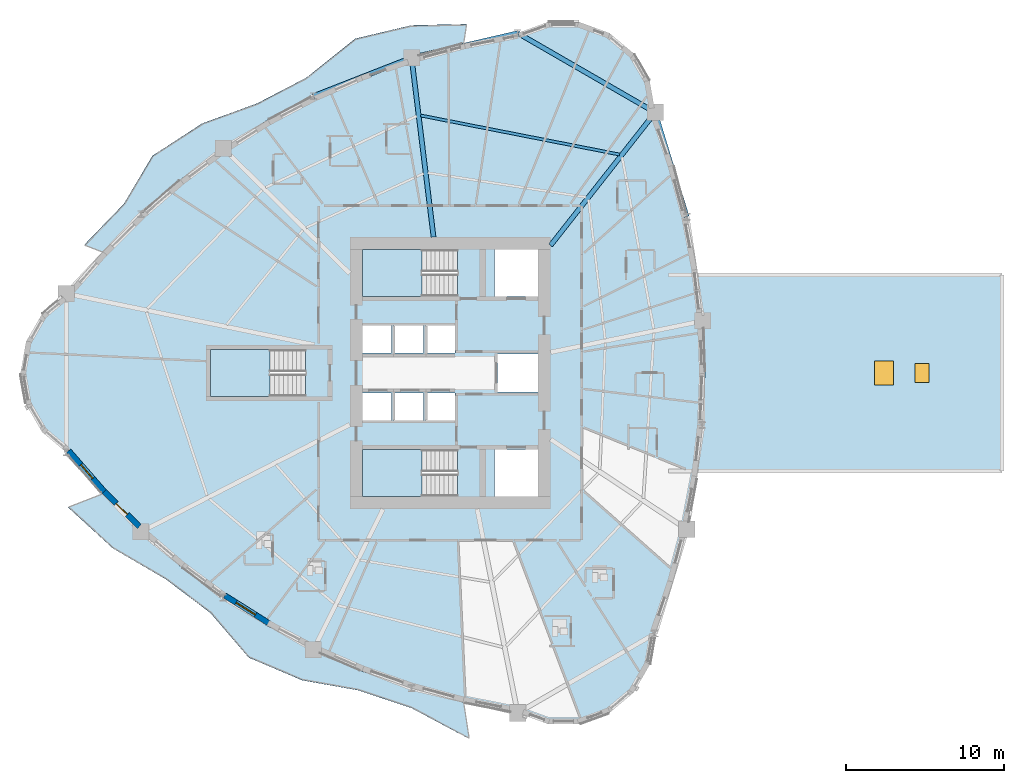
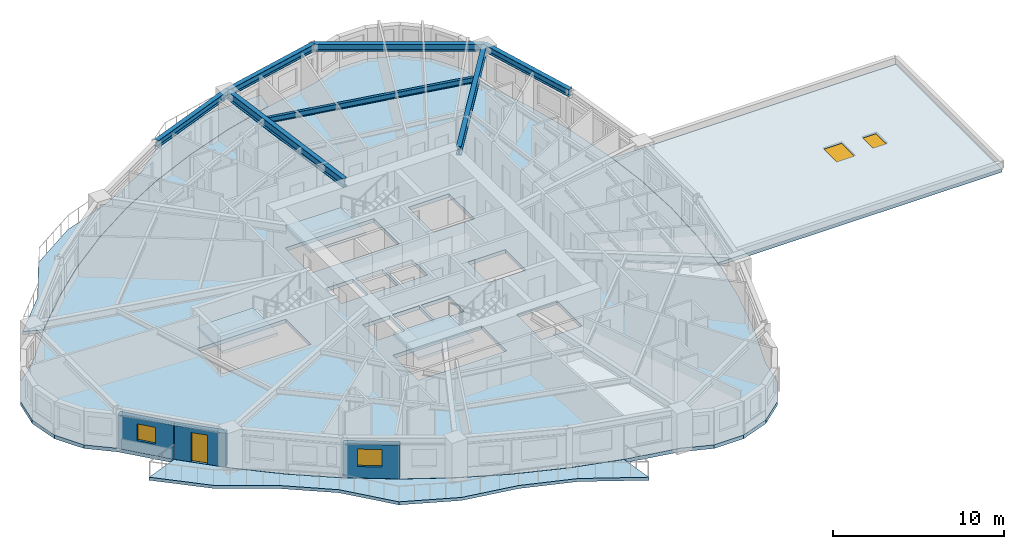
# One storey, part 2 of 15: 7 beams, 7 slabs, 4 windows, 3 walls, 1 door, 5 openings, 3 elements without a shape of their own.
"""IFC4 building model written with IfcOpenShell, lengths in metres."""

from ifc_helpers import new_model, si_unit, direction, frame, frame_2d, origin, origin_2d, place, context, subcontext, project, spatial, polyline, rectangle, i_section, outline, extrude, source, transform, mapped, material, layer, layer_set, material_profile, profile_set, type_object, element, fill, aggregate, save


model = new_model("IFC4")

# Units and contexts
model_context = context("Model", 3, precision=1e-05, world=origin(), true_north=direction((0.0, 1.0)))
body_context = subcontext(model_context, "Body", "Model", "MODEL_VIEW")
ifc_project = project(units=[si_unit("LENGTHUNIT", "METRE"), si_unit("AREAUNIT", "SQUARE_METRE"), si_unit("VOLUMEUNIT", "CUBIC_METRE"), si_unit("PLANEANGLEUNIT", "RADIAN"), si_unit("MASSUNIT", "GRAM", prefix="KILO")], contexts=[model_context])

# Site, building, storey
site_placement = place(None, origin())
site = spatial("IfcSite", under=ifc_project, at=site_placement, CompositionType="ELEMENT")
building_placement = place(site_placement, origin())
building = spatial("IfcBuilding", under=site, at=building_placement, Name="Qafzar Sky-Pleat Residences", CompositionType="ELEMENT")
storey_placement = place(building_placement, frame((0.0, 0.0, 36.60009765625)))
storey = spatial("IfcBuildingStorey", under=building, at=storey_placement, Name="L10", CompositionType="ELEMENT", Elevation=36.60009765625)

# Beams
ifc_material_1 = material(Name="Steel S355", Category="steel")
ifc_material_profile_1 = material_profile(ifc_material_1, i_section(OverallWidth=0.300048828125, OverallDepth=0.5, WebThickness=0.014404296875, FlangeThickness=0.028076171875, FilletRadius=0.027099609375, at=origin_2d()), Name="HEB 500")
ifc_profile_set_1 = profile_set([ifc_material_profile_1], Name="Steel S355")
beam_type_1 = type_object("IfcBeamType", Name="BM-SPAN-HEB500", PredefinedType="SPANDREL", material=ifc_profile_set_1)
shared_shape_1 = source(origin(), body_context, "Body", "SweptSolid", [
    extrude(i_section(OverallWidth=0.300048828125, OverallDepth=0.5, WebThickness=0.014404296875, FlangeThickness=0.028076171875, FilletRadius=0.027099609375, at=origin_2d()), origin(), (0.0, 0.0, 1.0), 10.0458984375),
])
beam_1_placement = place(storey_placement, frame((43.3173828125, 42.48486328125, 2.68798828125), z_axis=(-0.866024107753, 0.500002244785, 0.0), x_axis=(-0.500002244785, -0.866024107753, 0.0)))
element("IfcBeam", 1, at=beam_1_placement, inside=storey, type_object=beam_type_1, Name="L10 Perimeter Spandrel Beam 13", PredefinedType="SPANDREL", context=body_context, shape_type="MappedRepresentation", body=[
    mapped(shared_shape_1, transform((0.0, 0.0, 0.0), x_axis=(1.0, 0.0, 0.0), y_axis=(0.0, 1.0, 0.0), z_axis=(0.0, 0.0, 1.0), scale=1.0)),
])
shared_shape_2 = source(origin(), body_context, "Body", "SweptSolid", [
    extrude(i_section(OverallWidth=0.300048828125, OverallDepth=0.5, WebThickness=0.014404296875, FlangeThickness=0.028076171875, FilletRadius=0.027099609375, at=origin_2d()), origin(), (0.0, 0.0, 1.0), 6.891845703125),
])
beam_2_placement = place(storey_placement, frame((34.617431640625, 47.5078125, 2.68798828125), z_axis=(-0.974009481097, -0.226507242122, 0.0), x_axis=(0.226507242122, -0.974009481097, 0.0)))
element("IfcBeam", 2, at=beam_2_placement, inside=storey, type_object=beam_type_1, Name="L10 Perimeter Spandrel Beam 14", PredefinedType="SPANDREL", context=body_context, shape_type="MappedRepresentation", body=[
    mapped(shared_shape_2, transform((0.0, 0.0, 0.0), x_axis=(1.0, 0.0, 0.0), y_axis=(0.0, 1.0, 0.0), z_axis=(0.0, 0.0, 1.0), scale=1.0)),
])
shared_shape_3 = source(origin(), body_context, "Body", "SweptSolid", [
    extrude(i_section(OverallWidth=0.300048828125, OverallDepth=0.5, WebThickness=0.014404296875, FlangeThickness=0.028076171875, FilletRadius=0.027099609375, at=origin_2d()), origin(), (0.0, 0.0, 1.0), 6.669677734375),
])
beam_3_placement = place(storey_placement, frame((27.90478515625, 45.94677734375, 2.68798828125), z_axis=(-0.931329164227, -0.364178510981, 0.0), x_axis=(0.364178510981, -0.931329164227, 0.0)))
element("IfcBeam", 3, at=beam_3_placement, inside=storey, type_object=beam_type_1, Name="L10 Perimeter Spandrel Beam 15", PredefinedType="SPANDREL", context=body_context, shape_type="MappedRepresentation", body=[
    mapped(shared_shape_3, transform((0.0, 0.0, 0.0), x_axis=(1.0, 0.0, 0.0), y_axis=(0.0, 1.0, 0.0), z_axis=(0.0, 0.0, 1.0), scale=1.0)),
])
shared_shape_4 = source(origin(), body_context, "Body", "SweptSolid", [
    extrude(i_section(OverallWidth=0.300048828125, OverallDepth=0.5, WebThickness=0.014404296875, FlangeThickness=0.028076171875, FilletRadius=0.027099609375, at=origin_2d()), origin(), (0.0, 0.0, 1.0), 6.89208984375),
])
beam_4_placement = place(storey_placement, frame((45.322021484375, 35.890869140625, 2.68798828125), z_axis=(-0.290865585576, 0.95676392654, 0.0), x_axis=(-0.95676392654, -0.290865585576, 0.0)))
element("IfcBeam", 4, at=beam_4_placement, inside=storey, type_object=beam_type_1, Name="L10 Perimeter Spandrel Beam 12", PredefinedType="SPANDREL", context=body_context, shape_type="MappedRepresentation", body=[
    mapped(shared_shape_4, transform((0.0, 0.0, 0.0), x_axis=(1.0, 0.0, 0.0), y_axis=(0.0, 1.0, 0.0), z_axis=(0.0, 0.0, 1.0), scale=1.0)),
])
ifc_material_profile_2 = material_profile(ifc_material_1, i_section(OverallWidth=0.300048828125, OverallDepth=0.60009765625, WebThickness=0.015380859375, FlangeThickness=0.030029296875, FilletRadius=0.027099609375, at=origin_2d()), Name="HEB 600")
ifc_profile_set_2 = profile_set([ifc_material_profile_2], Name="Steel S355")
beam_type_2 = type_object("IfcBeamType", Name="BM-GIRD-HEB600", PredefinedType="BEAM", material=ifc_profile_set_2)
shared_shape_5 = source(origin(), body_context, "Body", "SweptSolid", [
    extrude(i_section(OverallWidth=0.300048828125, OverallDepth=0.60009765625, WebThickness=0.015380859375, FlangeThickness=0.030029296875, FilletRadius=0.027099609375, at=origin_2d()), origin(), (0.0, 0.0, 1.0), 10.703125),
])
beam_5_placement = place(storey_placement, frame((43.3173828125, 42.48486328125, 2.637939453125), z_axis=(-0.618267724454, -0.785967569877, 0.0), x_axis=(0.785967569877, -0.618267724454, 0.0)))
element("IfcBeam", 5, at=beam_5_placement, inside=storey, type_object=beam_type_2, Name="L10 Radial Floor Girder 13", PredefinedType="BEAM", context=body_context, shape_type="MappedRepresentation", body=[
    mapped(shared_shape_5, transform((0.0, 0.0, 0.0), x_axis=(1.0, 0.0, 0.0), y_axis=(0.0, 1.0, 0.0), z_axis=(0.0, 0.0, 1.0), scale=1.0)),
])
shared_shape_6 = source(origin(), body_context, "Body", "SweptSolid", [
    extrude(i_section(OverallWidth=0.300048828125, OverallDepth=0.60009765625, WebThickness=0.015380859375, FlangeThickness=0.030029296875, FilletRadius=0.027099609375, at=origin_2d()), origin(), (0.0, 0.0, 1.0), 11.431640625),
])
beam_6_placement = place(storey_placement, frame((27.90478515625, 45.94677734375, 2.637939453125), z_axis=(0.121668724552, -0.992570763959, 0.0), x_axis=(0.992570763959, 0.121668724552, 0.0)))
element("IfcBeam", 6, at=beam_6_placement, inside=storey, type_object=beam_type_2, Name="L10 Radial Floor Girder 15", PredefinedType="BEAM", context=body_context, shape_type="MappedRepresentation", body=[
    mapped(shared_shape_6, transform((0.0, 0.0, 0.0), x_axis=(1.0, 0.0, 0.0), y_axis=(0.0, 1.0, 0.0), z_axis=(0.0, 0.0, 1.0), scale=1.0)),
])
ifc_material_profile_3 = material_profile(ifc_material_1, i_section(OverallWidth=0.179931640625, OverallDepth=0.39990234375, WebThickness=0.008544921875, FlangeThickness=0.013427734375, FilletRadius=0.02099609375, at=origin_2d()), Name="IPE 400")
ifc_profile_set_3 = profile_set([ifc_material_profile_3], Name="Steel S355")
beam_type_3 = type_object("IfcBeamType", Name="BM-JST-IPE400", PredefinedType="JOIST", material=ifc_profile_set_3)
shared_shape_7 = source(origin(), body_context, "Body", "SweptSolid", [
    extrude(i_section(OverallWidth=0.179931640625, OverallDepth=0.39990234375, WebThickness=0.008544921875, FlangeThickness=0.013427734375, FilletRadius=0.02099609375, at=origin_2d()), origin(), (0.0, 0.0, 1.0), 12.8251953125),
])
beam_7_placement = place(storey_placement, frame((41.0673828125, 39.81884765625, 2.73779296875), z_axis=(-0.981265018358, 0.192662823986, 0.0), x_axis=(-0.192662823986, -0.981265018358, 0.0)))
element("IfcBeam", 7, at=beam_7_placement, inside=storey, type_object=beam_type_3, Name="L10 Outer Secondary Floor Joist 7", PredefinedType="JOIST", context=body_context, shape_type="MappedRepresentation", body=[
    mapped(shared_shape_7, transform((0.0, 0.0, 0.0), x_axis=(1.0, 0.0, 0.0), y_axis=(0.0, 1.0, 0.0), z_axis=(0.0, 0.0, 1.0), scale=1.0)),
])

# Slabs
ifc_material_2 = material(Name="Concrete C40/50", Category="concrete")
ifc_layer_1 = layer(ifc_material_2, 0.219970703125)
ifc_layer_set_1 = layer_set([ifc_layer_1], Name="Concrete C40/50")
slab_type_1 = type_object("IfcSlabType", Name="SLAB-BAL-220", PredefinedType="USERDEFINED", material=ifc_layer_set_1)
slab_1_placement = place(storey_placement, frame((0.0, 0.0, -0.22021484375)))
element("IfcSlab", 8, at=slab_1_placement, inside=storey, type_object=slab_type_1, Name="L10 Pleated Stone Balcony 1", ObjectType="BALCONY", PredefinedType="USERDEFINED", context=body_context, shape_type="SweptSolid", body=[
    extrude(outline(polyline([(27.904541015625, 45.958740234375), (24.734375, 44.8525390625), (21.68896484375, 43.529052734375), (18.769287109375, 41.98828125), (15.974853515625, 40.22998046875), (13.30615234375, 38.254638671875), (10.7626953125, 36.06201171875), (8.34521484375, 33.65234375), (7.191650390625, 34.101318359375), (9.693603515625, 36.68603515625), (11.51611328125, 39.747314453125), (14.659423828125, 41.78662109375), (18.150146484375, 43.060302734375), (21.269775390625, 44.69384765625), (24.33642578125, 47.149169921875), (27.89501953125, 47.996826171875), (31.38818359375, 48.0712890625), (31.2001953125, 46.84765625), (27.904541015625, 45.958740234375)])), origin(), (0.0, 0.0, 1.0), 0.22021484375),
])
slab_2_placement = place(storey_placement, frame((0.0, 0.0, -0.22021484375)))
element("IfcSlab", 9, at=slab_2_placement, inside=storey, type_object=slab_type_1, Name="L10 Pleated Stone Balcony 2", ObjectType="BALCONY", PredefinedType="USERDEFINED", context=body_context, shape_type="SweptSolid", body=[
    extrude(outline(polyline([(10.7626953125, 15.93798828125), (13.30615234375, 13.745361328125), (15.974853515625, 11.77001953125), (18.769287109375, 10.01171875), (21.68896484375, 8.470947265625), (24.734375, 7.1474609375), (27.904541015625, 6.041259765625), (31.2001953125, 5.15234375), (31.553955078125, 2.848388671875), (27.898681640625, 4.80322265625), (24.52294921875, 5.927490234375), (20.998779296875, 6.553466796875), (17.603759765625, 7.993408203125), (15.17578125, 10.82421875), (12.355224609375, 12.952392578125), (9.002685546875, 14.91064453125), (6.17333984375, 17.502197265625), (8.34521484375, 18.34765625), (10.7626953125, 15.93798828125)])), origin(), (0.0, 0.0, 1.0), 0.22021484375),
])
ifc_layer_2 = layer(ifc_material_2, 0.260009765625)
ifc_layer_set_2 = layer_set([ifc_layer_2], Name="Concrete C40/50")
slab_type_2 = type_object("IfcSlabType", Name="SLAB-FLR-260", PredefinedType="FLOOR", material=ifc_layer_set_2)
slab_3_placement = place(storey_placement, frame((0.0, 0.0, -0.260009765625)))
element("IfcSlab", 10, at=slab_3_placement, inside=storey, type_object=slab_type_2, Name="L10 Structural Floor Slab", PredefinedType="FLOOR", context=body_context, shape_type="SweptSolid", body=[
    extrude(outline(polyline([(6.06494140625, 31.02294921875), (4.52197265625, 29.728271484375), (3.514892578125, 27.983642578125), (3.1650390625, 26.0), (3.514892578125, 24.016357421875), (4.52197265625, 22.271728515625), (6.06494140625, 20.97705078125), (8.3564453125, 18.35205078125), (10.773193359375, 15.944091796875), (13.315185546875, 13.753173828125), (15.982666015625, 11.779052734375), (18.775146484375, 10.022216796875), (21.693115234375, 8.482177734375), (24.736328125, 7.1591796875), (27.90478515625, 6.05322265625), (31.198486328125, 5.164306640625), (34.617431640625, 4.4921875), (36.51025390625, 3.80322265625), (38.524658203125, 3.80322265625), (40.41748046875, 4.4921875), (41.960693359375, 5.787109375), (42.9677734375, 7.531494140625), (43.3173828125, 9.51513671875), (44.445068359375, 12.812255859375), (45.322021484375, 16.109130859375), (45.948486328125, 19.406005859375), (46.32421875, 22.702880859375), (46.44970703125, 26.0), (46.32421875, 29.297119140625), (45.948486328125, 32.593994140625), (45.322021484375, 35.890869140625), (44.445068359375, 39.187744140625), (43.3173828125, 42.48486328125), (42.9677734375, 44.468505859375), (41.960693359375, 46.212890625), (40.41748046875, 47.5078125), (38.524658203125, 48.19677734375), (36.51025390625, 48.19677734375), (34.617431640625, 47.5078125), (31.198486328125, 46.835693359375), (27.90478515625, 45.94677734375), (24.736328125, 44.8408203125), (21.693115234375, 43.517822265625), (18.775146484375, 41.977783203125), (15.982666015625, 40.220947265625), (13.315185546875, 38.246826171875), (10.773193359375, 36.055908203125), (8.3564453125, 33.64794921875), (6.06494140625, 31.02294921875)]), holes=[polyline([(30.797119140625, 21.14990234375), (24.800048828125, 21.14990234375), (24.800048828125, 18.199951171875), (30.797119140625, 18.199951171875), (30.797119140625, 21.14990234375)]), polyline([(30.797119140625, 33.800048828125), (24.800048828125, 33.800048828125), (24.800048828125, 30.85009765625), (30.797119140625, 30.85009765625), (30.797119140625, 33.800048828125)]), polyline([(21.197021484375, 27.47509765625), (15.199951171875, 27.47509765625), (15.199951171875, 24.52490234375), (21.197021484375, 24.52490234375), (21.197021484375, 27.47509765625)]), polyline([(24.800048828125, 22.949951171875), (26.64990234375, 22.949951171875), (26.64990234375, 24.75), (24.800048828125, 24.75), (24.800048828125, 22.949951171875)]), polyline([(26.800048828125, 22.949951171875), (28.64990234375, 22.949951171875), (28.64990234375, 24.75), (26.800048828125, 24.75), (26.800048828125, 22.949951171875)]), polyline([(28.800048828125, 22.949951171875), (30.64990234375, 22.949951171875), (30.64990234375, 24.75), (28.800048828125, 24.75), (28.800048828125, 22.949951171875)]), polyline([(24.800048828125, 27.25), (26.64990234375, 27.25), (26.64990234375, 29.050048828125), (24.800048828125, 29.050048828125), (24.800048828125, 27.25)]), polyline([(26.800048828125, 27.25), (28.64990234375, 27.25), (28.64990234375, 29.050048828125), (26.800048828125, 29.050048828125), (26.800048828125, 27.25)]), polyline([(28.800048828125, 27.25), (30.64990234375, 27.25), (30.64990234375, 29.050048828125), (28.800048828125, 29.050048828125), (28.800048828125, 27.25)]), polyline([(33.14990234375, 18.199951171875), (35.89990234375, 18.199951171875), (35.89990234375, 21.14990234375), (33.14990234375, 21.14990234375), (33.14990234375, 18.199951171875)]), polyline([(33.14990234375, 30.85009765625), (35.89990234375, 30.85009765625), (35.89990234375, 33.800048828125), (33.14990234375, 33.800048828125), (33.14990234375, 30.85009765625)]), polyline([(33.35009765625, 24.800048828125), (35.89990234375, 24.800048828125), (35.89990234375, 27.199951171875), (33.35009765625, 27.199951171875), (33.35009765625, 24.800048828125)])]), origin(), (0.0, 0.0, 1.0), 0.260009765625),
])

# Stair, slab
stair_type = type_object("IfcStairType", Name="STAIR-H320", PredefinedType="HALF_TURN_STAIR", material=ifc_material_2)
stair_1_placement = place(storey_placement, origin())
stair_1 = element("IfcStair", 11, at=stair_1_placement, inside=storey, type_object=stair_type, Name="L10 Protected Exit Stair ST1", PredefinedType="HALF_TURN_STAIR")
ifc_layer_3 = layer(ifc_material_2, 0.199951171875)
ifc_layer_set_3 = layer_set([ifc_layer_3], Name="Concrete C40/50")
slab_type_3 = type_object("IfcSlabType", Name="SLAB-LANDING-200", PredefinedType="LANDING", material=ifc_layer_set_3)
slab_4_placement = place(storey_placement, frame((0.0, 0.0, 1.39990234375)))
slab_4 = element("IfcSlab", 12, at=slab_4_placement, type_object=slab_type_3, Name="ST1 landing 1", PredefinedType="LANDING", context=body_context, shape_type="SweptSolid", body=[
    extrude(outline(polyline([(28.56005859375, 21.14990234375), (24.800048828125, 21.14990234375), (24.800048828125, 18.199951171875), (28.56005859375, 18.199951171875), (28.56005859375, 21.14990234375)])), origin(), (0.0, 0.0, 1.0), 0.199951171875),
])
aggregate(stair_1, [slab_4])

stair_2_placement = place(storey_placement, origin())
stair_2 = element("IfcStair", 13, at=stair_2_placement, inside=storey, type_object=stair_type, Name="L10 Protected Exit Stair ST2", PredefinedType="HALF_TURN_STAIR")
slab_5_placement = place(storey_placement, frame((0.0, 0.0, 1.39990234375)))
slab_5 = element("IfcSlab", 14, at=slab_5_placement, type_object=slab_type_3, Name="ST2 landing 1", PredefinedType="LANDING", context=body_context, shape_type="SweptSolid", body=[
    extrude(outline(polyline([(28.56005859375, 33.800048828125), (24.800048828125, 33.800048828125), (24.800048828125, 30.85009765625), (28.56005859375, 30.85009765625), (28.56005859375, 33.800048828125)])), origin(), (0.0, 0.0, 1.0), 0.199951171875),
])
aggregate(stair_2, [slab_5])

stair_3_placement = place(storey_placement, origin())
stair_3 = element("IfcStair", 15, at=stair_3_placement, inside=storey, type_object=stair_type, Name="L10 Protected Exit Stair ST3", PredefinedType="HALF_TURN_STAIR")
slab_6_placement = place(storey_placement, frame((0.0, 0.0, 1.39990234375)))
slab_6 = element("IfcSlab", 16, at=slab_6_placement, type_object=slab_type_3, Name="ST3 landing 1", PredefinedType="LANDING", context=body_context, shape_type="SweptSolid", body=[
    extrude(outline(polyline([(18.9599609375, 27.47509765625), (15.199951171875, 27.47509765625), (15.199951171875, 24.52490234375), (18.9599609375, 24.52490234375), (18.9599609375, 27.47509765625)])), origin(), (0.0, 0.0, 1.0), 0.199951171875),
])
aggregate(stair_3, [slab_6])

# Slab, openings, windows
ifc_layer_4 = layer(ifc_material_2, 0.235107421875)
ifc_layer_set_4 = layer_set([ifc_layer_4], Name="Concrete C40/50")
slab_type_4 = type_object("IfcSlabType", Name="SLAB-ROOF-235", PredefinedType="ROOF", material=ifc_layer_set_4)
slab_7_placement = place(storey_placement, frame((0.0, 0.0, -0.235107421875)))
slab_7 = element("IfcSlab", 17, at=slab_7_placement, inside=storey, type_object=slab_type_4, Name="L10 SB-1 Weatherproof Roof Deck", PredefinedType="ROOF", context=body_context, shape_type="SweptSolid", body=[
    extrude(outline(polyline([(65.25439453125, 32.199951171875), (65.25439453125, 19.800048828125), (46.008544921875, 19.800048828125), (46.339111328125, 22.701416015625), (46.33935546875, 22.702392578125), (46.464599609375, 25.99951171875), (46.464599609375, 26.00048828125), (46.33935546875, 29.297607421875), (46.339111328125, 29.298583984375), (46.008544921875, 32.199951171875), (65.25439453125, 32.199951171875)])), origin(), (0.0, 0.0, 1.0), 0.235107421875),
])
opening_1_placement = place(slab_7_placement, frame((57.80224609375, 26.0, -0.010009765625)))
opening_1 = element("IfcOpeningElement", 18, at=opening_1_placement, cuts=slab_7, Name="Opening RH-01", PredefinedType="OPENING", context=body_context, shape_type="SweptSolid", body=[
    extrude(rectangle(XDim=1.199951171875, YDim=1.5, at=origin_2d()), origin(), (0.0, 0.0, 1.0), 0.255126953125),
])
opening_2_placement = place(slab_7_placement, frame((60.202392578125, 26.0, -0.010009765625)))
opening_2 = element("IfcOpeningElement", 19, at=opening_2_placement, cuts=slab_7, Name="Opening RH-02", PredefinedType="OPENING", context=body_context, shape_type="SweptSolid", body=[
    extrude(rectangle(XDim=0.89990234375, YDim=1.199951171875, at=origin_2d()), origin(), (0.0, 0.0, 1.0), 0.255126953125),
])
ifc_material_3 = material(Name="Insulated safety glass roof hatch", Category="glass")
window_type_1 = type_object("IfcWindowType", Name="WIN-SKYLIGHT-1200", PartitioningType="SINGLE_PANEL", PredefinedType="SKYLIGHT", material=ifc_material_3)
window_1_placement = place(slab_7_placement, frame((57.80224609375, 26.0, 0.18505859375)))
window_1 = element("IfcWindow", 20, at=window_1_placement, inside=storey, type_object=window_type_1, Name="L10 SB-1 Roof Maintenance Skylight Hatch", OverallHeight=1.5, OverallWidth=1.199951171875, PartitioningType="SINGLE_PANEL", PredefinedType="SKYLIGHT", context=body_context, shape_type="SweptSolid", body=[
    extrude(rectangle(XDim=1.199951171875, YDim=1.5, at=origin_2d()), origin(), (0.0, 0.0, 1.0), 0.050048828125),
])
fill(opening_1, window_1)
window_type_2 = type_object("IfcWindowType", Name="WIN-SKYLIGHT-900", PartitioningType="SINGLE_PANEL", PredefinedType="SKYLIGHT", material=ifc_material_3)
window_2_placement = place(slab_7_placement, frame((60.202392578125, 26.0, 0.18505859375)))
window_2 = element("IfcWindow", 21, at=window_2_placement, inside=storey, type_object=window_type_2, Name="L10 SB-1 Roof Inspection Skylight Hatch", OverallHeight=1.199951171875, OverallWidth=0.89990234375, PartitioningType="SINGLE_PANEL", PredefinedType="SKYLIGHT", context=body_context, shape_type="SweptSolid", body=[
    extrude(rectangle(XDim=0.89990234375, YDim=1.199951171875, at=origin_2d()), origin(), (0.0, 0.0, 1.0), 0.050048828125),
])
fill(opening_2, window_2)

# Wall, opening, window
ifc_material_4 = material(Name="Precast concrete C40/50 with honed Riyadh limestone", Category="concrete")
ifc_layer_5 = layer(ifc_material_4, 0.35009765625)
ifc_layer_set_5 = layer_set([ifc_layer_5], Name="Precast concrete C40/50 with honed Riyadh limestone")
wall_type = type_object("IfcWallType", Name="WALL-EXT-350", PredefinedType="SOLIDWALL", material=ifc_layer_set_5)
wall_1_placement = place(storey_placement, frame((6.2099609375, 21.0771484375, 0.0), z_axis=(0.0, 0.0, 1.0), x_axis=(0.657630648053, -0.75334051447, 0.0)))
wall_1 = element("IfcWall", 22, at=wall_1_placement, inside=storey, type_object=wall_type, Name="L10 Limestone Facade Wall 7", PredefinedType="SOLIDWALL", context=body_context, shape_type="SweptSolid", body=[
    extrude(rectangle(XDim=3.502197265625, YDim=0.35009765625, at=frame_2d((1.7509765625, 0.0))), origin(), (0.0, 0.0, 1.0), 2.419921875),
])
opening_3_placement = place(wall_1_placement, frame((1.166259765625, 0.0, 0.820068359375)))
opening_3 = element("IfcOpeningElement", 23, at=opening_3_placement, cuts=wall_1, Name="Opening WN-16", PredefinedType="OPENING", context=body_context, shape_type="SweptSolid", body=[
    extrude(rectangle(XDim=1.14990234375, YDim=1.199951171875, at=frame_2d((0.574951171875, 0.60009765625))), frame((0.0, 0.18505859375, 0.0), z_axis=(0.0, -1.0, 0.0), x_axis=(1.0, 0.0, 0.0)), (0.0, 0.0, 1.0), 0.3701171875),
])
ifc_material_5 = material(Name="Solar-control low-E glass in bronze aluminium frame", Category="glass")
window_type_3 = type_object("IfcWindowType", Name="WIN-16", PartitioningType="SINGLE_PANEL", PredefinedType="WINDOW", material=ifc_material_5)
shared_shape_8 = source(origin(), body_context, "Body", "SweptSolid", [
    extrude(rectangle(XDim=1.14990234375, YDim=1.199951171875, at=frame_2d((0.574951171875, 0.60009765625))), frame((0.0, 0.030029296875, 0.0), z_axis=(0.0, -1.0, 0.0), x_axis=(1.0, 0.0, 0.0)), (0.0, 0.0, 1.0), 0.06005859375),
])
window_3_placement = place(opening_3_placement, origin())
window_3 = element("IfcWindow", 24, at=window_3_placement, inside=storey, type_object=window_type_3, Name="L10 Punched Facade Window 07", OverallHeight=1.199951171875, OverallWidth=1.14990234375, PartitioningType="SINGLE_PANEL", PredefinedType="WINDOW", context=body_context, shape_type="MappedRepresentation", body=[
    mapped(shared_shape_8, transform((0.0, 0.0, 0.0), x_axis=(1.0, 0.0, 0.0), y_axis=(0.0, 1.0, 0.0), z_axis=(0.0, 0.0, 1.0), scale=1.0)),
])
fill(opening_3, window_3)

# Wall, opening, door
wall_2_placement = place(storey_placement, frame((8.453125, 18.5029296875, 0.0), z_axis=(0.0, 0.0, 1.0), x_axis=(0.708345957791, -0.705865429158, 0.0)))
wall_2 = element("IfcWall", 25, at=wall_2_placement, inside=storey, type_object=wall_type, Name="L10 Limestone Facade Wall 8", PredefinedType="SOLIDWALL", context=body_context, shape_type="SweptSolid", body=[
    extrude(rectangle(XDim=3.1494140625, YDim=0.35009765625, at=frame_2d((1.57470703125, 0.0))), origin(), (0.0, 0.0, 1.0), 2.419921875),
])
opening_4_placement = place(wall_2_placement, frame((1.07470703125, 0.0, 0.0)))
opening_4 = element("IfcOpeningElement", 26, at=opening_4_placement, cuts=wall_2, Name="Opening ED-05", PredefinedType="OPENING", context=body_context, shape_type="SweptSolid", body=[
    extrude(rectangle(XDim=1.0, YDim=2.10009765625, at=frame_2d((0.5, 1.050048828125))), frame((0.0, 0.18505859375, 0.0), z_axis=(0.0, -1.0, 0.0), x_axis=(1.0, 0.0, 0.0)), (0.0, 0.0, 1.0), 0.3701171875),
])
ifc_material_6 = material(Name="Glazed bronze aluminium door", Category="aluminium")
door_type = type_object("IfcDoorType", Name="DR-BAL-1000", OperationType="NOTDEFINED", PredefinedType="DOOR", material=ifc_material_6)
shared_shape_9 = source(origin(), body_context, "Body", "SweptSolid", [
    extrude(rectangle(XDim=1.0, YDim=2.10009765625, at=frame_2d((0.5, 1.050048828125))), frame((0.0, 0.02490234375, 0.0), z_axis=(0.0, -1.0, 0.0), x_axis=(1.0, 0.0, 0.0)), (0.0, 0.0, 1.0), 0.050048828125),
])
door_placement = place(opening_4_placement, origin())
door = element("IfcDoor", 27, at=door_placement, inside=storey, type_object=door_type, Name="L10 Glazed Balcony Door 2", OperationType="SINGLE_SWING_LEFT", OverallHeight=2.10009765625, OverallWidth=1.0, PredefinedType="DOOR", context=body_context, shape_type="MappedRepresentation", body=[
    mapped(shared_shape_9, transform((0.0, 0.0, 0.0), x_axis=(1.0, 0.0, 0.0), y_axis=(0.0, 1.0, 0.0), z_axis=(0.0, 0.0, 1.0), scale=1.0)),
])
fill(opening_4, door)

# Wall, opening, window
wall_3_placement = place(storey_placement, frame((16.0927734375, 11.91650390625, 0.0), z_axis=(0.0, 0.0, 1.0), x_axis=(0.846444167315, -0.532477484612, 0.0)))
wall_3 = element("IfcWall", 28, at=wall_3_placement, inside=storey, type_object=wall_type, Name="L10 Limestone Facade Wall 11", PredefinedType="SOLIDWALL", context=body_context, shape_type="SweptSolid", body=[
    extrude(rectangle(XDim=3.317138671875, YDim=0.35009765625, at=frame_2d((1.65869140625, 0.0))), origin(), (0.0, 0.0, 1.0), 2.419921875),
])
opening_5_placement = place(wall_3_placement, frame((0.833984375, 0.0, 0.820068359375)))
opening_5 = element("IfcOpeningElement", 29, at=opening_5_placement, cuts=wall_3, Name="Opening WN-15", PredefinedType="OPENING", context=body_context, shape_type="SweptSolid", body=[
    extrude(rectangle(XDim=1.449951171875, YDim=1.25, at=frame_2d((0.72509765625, 0.625))), frame((0.0, 0.18505859375, 0.0), z_axis=(0.0, -1.0, 0.0), x_axis=(1.0, 0.0, 0.0)), (0.0, 0.0, 1.0), 0.3701171875),
])
window_type_4 = type_object("IfcWindowType", Name="WIN-15", PartitioningType="SINGLE_PANEL", PredefinedType="WINDOW", material=ifc_material_5)
shared_shape_10 = source(origin(), body_context, "Body", "SweptSolid", [
    extrude(rectangle(XDim=1.449951171875, YDim=1.25, at=frame_2d((0.72509765625, 0.625))), frame((0.0, 0.030029296875, 0.0), z_axis=(0.0, -1.0, 0.0), x_axis=(1.0, 0.0, 0.0)), (0.0, 0.0, 1.0), 0.06005859375),
])
window_4_placement = place(opening_5_placement, origin())
window_4 = element("IfcWindow", 30, at=window_4_placement, inside=storey, type_object=window_type_4, Name="L10 Punched Facade Window 11", OverallHeight=1.25, OverallWidth=1.449951171875, PartitioningType="SINGLE_PANEL", PredefinedType="WINDOW", context=body_context, shape_type="MappedRepresentation", body=[
    mapped(shared_shape_10, transform((0.0, 0.0, 0.0), x_axis=(1.0, 0.0, 0.0), y_axis=(0.0, 1.0, 0.0), z_axis=(0.0, 0.0, 1.0), scale=1.0)),
])
fill(opening_5, window_4)

save(model, "model.ifc")
